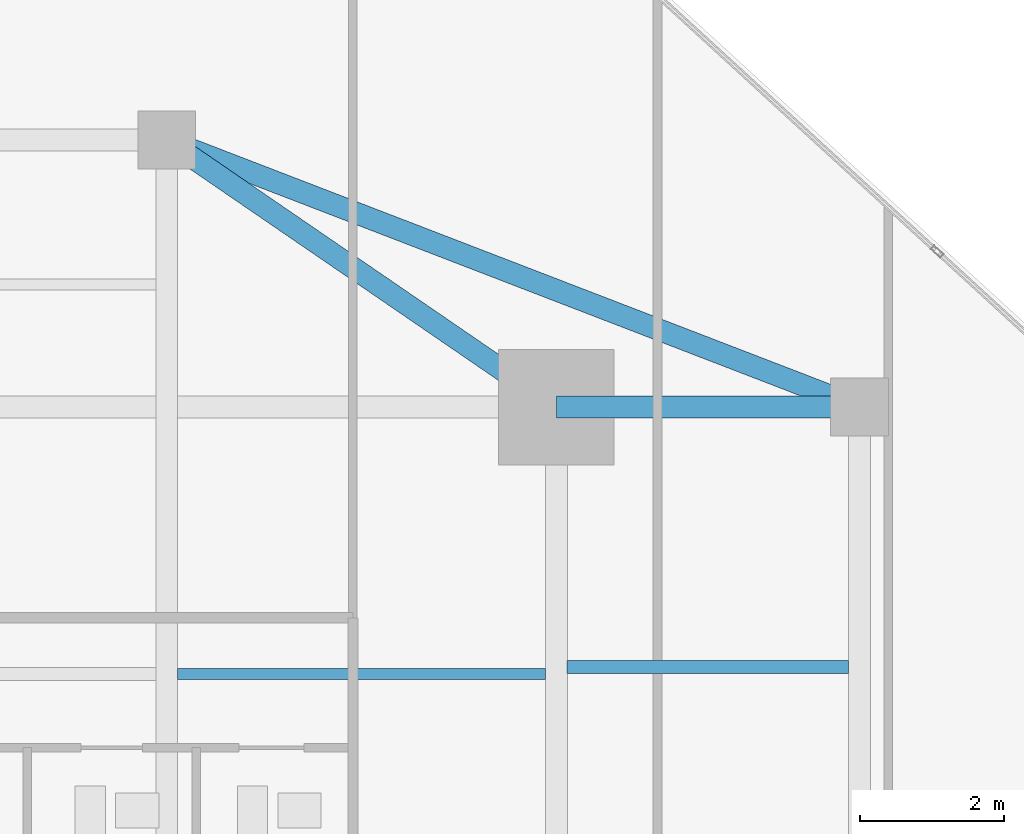
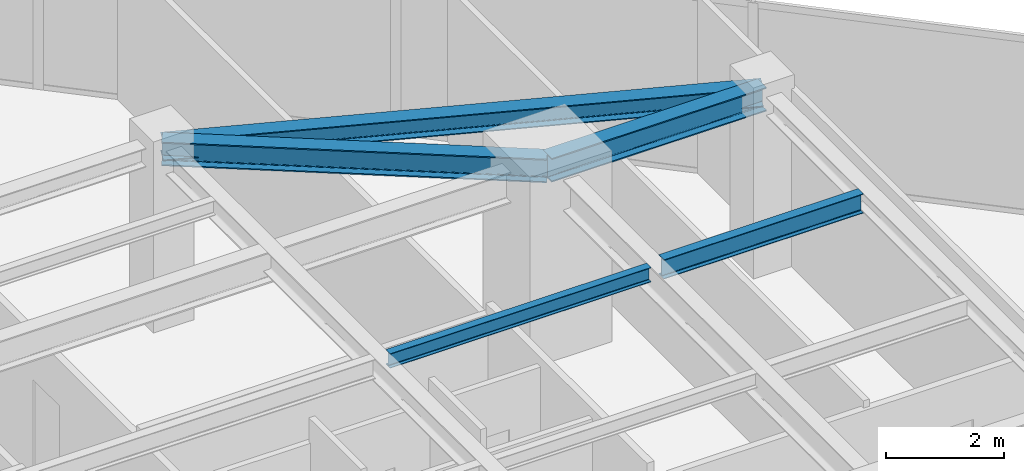
# One storey, part 18 of 26: 5 beams.
"""IFC4 building model written with IfcOpenShell, lengths in metres."""

import ifcopenshell
import ifcopenshell.guid

model = None  # the IFC model being written
_history = None  # IfcOwnerHistory: only IFC2X3 demands one
_inside = {}  # id of a spatial element -> (the spatial element, [elements in it])
_under = {}  # id of a project, library or spatial element -> (it, [spatial elements below it])
_declared = {}  # id of a project -> (the project, [libraries it declares])
_typed = {}  # id of a type object -> (the type object, [elements of that type])
_made_of = {}  # id of a material, layer set ... -> (it, [elements and type objects made of it])


def new_model(schema):
    """Start an empty IFC model of exactly this schema.

    Asked for "IFC4X3", IfcOpenShell would pick the latest addendum, in which some entities
    have other attributes; the version numbers below select the first issue.
    IFC2X3 requires an IfcOwnerHistory on every rooted entity: one is made here for all.
    """
    global model, _history
    if schema == "IFC4X3":
        model = ifcopenshell.file(schema_version=(4, 3, 0, 0))
    else:
        model = ifcopenshell.file(schema=schema)
    _inside.clear()
    _under.clear()
    _declared.clear()
    _typed.clear()
    _made_of.clear()
    _history = None
    if model.schema == "IFC2X3":
        org = make("IfcOrganization", Name="unknown")
        user = make(
            "IfcPersonAndOrganization",
            ThePerson=make("IfcPerson", FamilyName="unknown"),
            TheOrganization=org,
        )
        app = make(
            "IfcApplication",
            ApplicationDeveloper=org,
            Version="unknown",
            ApplicationFullName="unknown",
            ApplicationIdentifier="unknown",
        )
        _history = make(
            "IfcOwnerHistory",
            OwningUser=user,
            OwningApplication=app,
            ChangeAction="ADDED",
            CreationDate=0,
        )
    return model


def make(cls, **values):
    """One entity of the class cls with the attributes given. An attribute that is None is left unset."""
    return model.create_entity(
        cls, **{name: value for name, value in values.items() if value is not None}
    )


def rooted(cls, **values):
    """An entity with a GlobalId (a new one), such as an element, a storey or a relation."""
    return make(cls, GlobalId=ifcopenshell.guid.new(), OwnerHistory=_history, **values)


def si_unit(unit_type, name, prefix=None):
    """IfcSIUnit, for example si_unit("LENGTHUNIT", "METRE", prefix="MILLI")."""
    return make("IfcSIUnit", UnitType=unit_type, Prefix=prefix, Name=name)


def assignment(units):
    """IfcUnitAssignment: the units of a project."""
    return None if units is None else make("IfcUnitAssignment", Units=units)


def point(xyz):
    """IfcCartesianPoint."""
    return None if xyz is None else make("IfcCartesianPoint", Coordinates=xyz)


def direction(xyz):
    """IfcDirection."""
    return None if xyz is None else make("IfcDirection", DirectionRatios=xyz)


def frame(location, z_axis=None, x_axis=None):
    """IfcAxis2Placement3D, a coordinate frame: its origin and axes. An axis left out is left unset."""
    return make(
        "IfcAxis2Placement3D",
        Location=point(location),
        Axis=direction(z_axis),
        RefDirection=direction(x_axis),
    )


def frame_2d(location, x_axis=None):
    """IfcAxis2Placement2D, a coordinate frame in the plane: its origin and x axis."""
    return make(
        "IfcAxis2Placement2D", Location=point(location), RefDirection=direction(x_axis)
    )


def origin():
    """The frame at (0, 0, 0) with its axes left unset."""
    return frame((0.0, 0.0, 0.0))


def origin_2d():
    """The frame at (0, 0) in the plane with its x axis left unset."""
    return frame_2d((0.0, 0.0))


def place(relative_to, where):
    """IfcLocalPlacement: puts the frame where relative to a parent placement (None: the world)."""
    return make(
        "IfcLocalPlacement", PlacementRelTo=relative_to, RelativePlacement=where
    )


def context(
    kind, dimensions, precision=None, world=None, true_north=None, identifier=None
):
    """IfcGeometricRepresentationContext, for example the 3D "Model" context."""
    return make(
        "IfcGeometricRepresentationContext",
        ContextIdentifier=identifier,
        ContextType=kind,
        CoordinateSpaceDimension=dimensions,
        Precision=precision,
        WorldCoordinateSystem=world,
        TrueNorth=true_north,
    )


def subcontext(parent, identifier, kind, view, scale=None):
    """IfcGeometricRepresentationSubContext, for example "Body" below "Model"."""
    return make(
        "IfcGeometricRepresentationSubContext",
        ContextIdentifier=identifier,
        ContextType=kind,
        ParentContext=parent,
        TargetScale=scale,
        TargetView=view,
    )


def project(units=None, contexts=None):
    """IfcProject with its units and contexts."""
    return rooted(
        "IfcProject",
        Name="project",
        RepresentationContexts=contexts,
        UnitsInContext=assignment(units),
    )


def spatial(cls, under=None, at=None, **own):
    """A site, building, storey or space (cls), placed at a placement, below another one or the project."""
    s = rooted(cls, ObjectPlacement=at, **own)
    if under is not None:
        _under.setdefault(under.id(), (under, []))[1].append(s)
    return s


def profile(cls, at=None, kind="AREA", **sizes):
    """A parametric profile (cls). Its sizes go by their IFC names, for example OverallWidth=200.0."""
    return make(cls, ProfileType=kind, Position=at, **sizes)


def i_section(**sizes):
    """IfcIShapeProfileDef."""
    return profile("IfcIShapeProfileDef", **sizes)


def extrude(swept, where, along, depth):
    """IfcExtrudedAreaSolid: the profile swept, set in the frame where, extruded along a direction by depth."""
    return make(
        "IfcExtrudedAreaSolid",
        SweptArea=swept,
        Position=where,
        ExtrudedDirection=direction(along),
        Depth=depth,
    )


def shape(context_of_items, identifier, shape_type, items):
    """IfcShapeRepresentation: the items that make up one representation, for example the "Body"."""
    return make(
        "IfcShapeRepresentation",
        ContextOfItems=context_of_items,
        RepresentationIdentifier=identifier,
        RepresentationType=shape_type,
        Items=items,
    )


def source(mapping_origin, context_of_items, identifier, shape_type, items):
    """IfcRepresentationMap: a shape defined once, which mapped items show again and again."""
    return make(
        "IfcRepresentationMap",
        MappingOrigin=mapping_origin,
        MappedRepresentation=shape(context_of_items, identifier, shape_type, items),
    )


def transform(
    local_origin,
    x_axis=None,
    y_axis=None,
    z_axis=None,
    scale=None,
    scale2=None,
    scale3=None,
    uniform=True,
):
    """IfcCartesianTransformationOperator3D, or its non-uniform kind. x_axis, y_axis, z_axis: its Axis1, 2, 3."""
    if uniform:
        return make(
            "IfcCartesianTransformationOperator3D",
            Axis1=direction(x_axis),
            Axis2=direction(y_axis),
            LocalOrigin=point(local_origin),
            Scale=scale,
            Axis3=direction(z_axis),
        )
    return make(
        "IfcCartesianTransformationOperator3DnonUniform",
        Axis1=direction(x_axis),
        Axis2=direction(y_axis),
        LocalOrigin=point(local_origin),
        Scale=scale,
        Axis3=direction(z_axis),
        Scale2=scale2,
        Scale3=scale3,
    )


def mapped(mapping_source, mapping_target):
    """IfcMappedItem: shows the shape of a source again, moved by a transform."""
    return make(
        "IfcMappedItem", MappingSource=mapping_source, MappingTarget=mapping_target
    )


def material(Name=None, Category=None):
    """IfcMaterial."""
    return make("IfcMaterial", Name=Name, Category=Category)


def material_profile(
    of_material, cross_section, Name=None, Category=None, Priority=None
):
    """IfcMaterialProfile: a cross section and its material."""
    return make(
        "IfcMaterialProfile",
        Name=Name,
        Material=of_material,
        Profile=cross_section,
        Priority=Priority,
        Category=Category,
    )


def profile_set(profiles, Name=None, composite=None):
    """IfcMaterialProfileSet."""
    return make(
        "IfcMaterialProfileSet",
        Name=Name,
        MaterialProfiles=profiles,
        CompositeProfile=composite,
    )


def made_of(thing, what):
    """Note that an element or type object is made of a material, layer set ...; save() writes the relation."""
    if what is not None:
        _made_of.setdefault(what.id(), (what, []))[1].append(thing)
    return thing


def type_object(cls, material=None, **own):
    """A type object (cls), such as IfcWallType, which elements share."""
    return made_of(rooted(cls, **own), material)


def type_shapes(of_type, sources):
    """Give a type object the sources (RepresentationMaps) that its elements show as mapped items."""
    of_type.RepresentationMaps = sources


def element(
    cls,
    number,
    at=None,
    inside=None,
    cuts=None,
    type_object=None,
    material=None,
    context=None,
    identifier="Body",
    shape_type=None,
    held_by="IfcProductDefinitionShape",
    body=None,
    shapes=None,
    **own,
):
    """One element of the class cls, such as IfcWall. Its Tag is "e" and its number.

    at: its placement. inside: the storey or other place that contains it. cuts: it is an
    opening in that element (IfcRelVoidsElement). A single representation is given by context,
    identifier, shape_type and body (its items); several are given by shapes. held_by: the class
    of the entity that holds the representations. save() writes the other relations.
    """
    e = rooted(cls, Tag="e%d" % number, ObjectPlacement=at, **own)
    if body is not None:
        shapes = [shape(context, identifier, shape_type, body)]
    if shapes is not None:
        e.Representation = make(held_by, Representations=shapes)
    if inside is not None:
        _inside.setdefault(inside.id(), (inside, []))[1].append(e)
    if cuts is not None:
        rooted(
            "IfcRelVoidsElement", RelatingBuildingElement=cuts, RelatedOpeningElement=e
        )
    if type_object is not None:
        _typed.setdefault(type_object.id(), (type_object, []))[1].append(e)
    return made_of(e, material)


def aggregate(whole, parts):
    """IfcRelAggregates: a whole, such as a stair, and the parts it consists of."""
    return rooted("IfcRelAggregates", RelatingObject=whole, RelatedObjects=parts)


def save(model, path):
    """Write the relations noted so far, then the file.

    IfcRelAggregates (storeys below a building ...), IfcRelContainedInSpatialStructure (elements
    in a storey), IfcRelDefinesByType, IfcRelAssociatesMaterial and IfcRelDeclares: one each for
    every whole, place, type object, material and project.
    """
    for whole, parts in _under.values():
        aggregate(whole, parts)
    for where, things in _inside.values():
        rooted(
            "IfcRelContainedInSpatialStructure",
            RelatedElements=things,
            RelatingStructure=where,
        )
    for kind, things in _typed.values():
        rooted("IfcRelDefinesByType", RelatedObjects=things, RelatingType=kind)
    for what, things in _made_of.values():
        rooted("IfcRelAssociatesMaterial", RelatedObjects=things, RelatingMaterial=what)
    for by, libraries in _declared.values():
        rooted("IfcRelDeclares", RelatingContext=by, RelatedDefinitions=libraries)
    model.write(path)


model = new_model("IFC4")

# Units and contexts
model_context = context("Model", 3, precision=1e-05, world=origin(), true_north=direction((0.0, 1.0)))
body_context = subcontext(model_context, "Body", "Model", "MODEL_VIEW")
ifc_project = project(units=[si_unit("LENGTHUNIT", "METRE"), si_unit("AREAUNIT", "SQUARE_METRE"), si_unit("VOLUMEUNIT", "CUBIC_METRE"), si_unit("PLANEANGLEUNIT", "RADIAN"), si_unit("MASSUNIT", "GRAM", prefix="KILO")], contexts=[model_context])

# Site, building, storey
site_placement = place(None, origin())
site = spatial("IfcSite", under=ifc_project, at=site_placement, CompositionType="ELEMENT")
building_placement = place(site_placement, origin())
building = spatial("IfcBuilding", under=site, at=building_placement, Name="Krantzveldt Concourse Tower", CompositionType="ELEMENT")
storey_placement = place(building_placement, frame((0.0, 0.0, 227.050048828125)))
storey = spatial("IfcBuildingStorey", under=building, at=storey_placement, Name="L55", CompositionType="ELEMENT", Elevation=227.050048828125)

# Beams
ifc_material = material(Name="Steel S355JR", Category="steel")
ifc_material_profile_1 = material_profile(ifc_material, i_section(OverallWidth=0.300048828125, OverallDepth=0.389892578125, WebThickness=0.010986328125, FlangeThickness=0.01904296875, FilletRadius=0.027099609375, at=origin_2d()), Name="Steel S355JR", Category="steel")
ifc_profile_set_1 = profile_set([ifc_material_profile_1], Name="Steel S355JR - HEA 400")
beam_type_1 = type_object("IfcBeamType", Name="BM-SP-HEA400", PredefinedType="SPANDREL", material=ifc_profile_set_1)
shared_shape_1 = source(origin(), body_context, "Body", "SweptSolid", [
    extrude(i_section(OverallWidth=0.300048828125, OverallDepth=0.389892578125, WebThickness=0.010986328125, FlangeThickness=0.01904296875, FilletRadius=0.027099609375, at=origin_2d()), origin(), (0.0, 0.0, 1.0), 10.288330078125),
])
type_shapes(beam_type_1, [shared_shape_1])
beam_1_placement = place(storey_placement, frame((41.39990234375, 41.199951171875, 3.474853515625), z_axis=(0.933097690408, -0.359622997257, 0.0), x_axis=(0.359622997257, 0.933097690408, 0.0)))
element("IfcBeam", 1, at=beam_1_placement, inside=storey, type_object=beam_type_1, Name="L55 Tower Girder SP-R05", PredefinedType="SPANDREL", context=body_context, shape_type="MappedRepresentation", body=[
    mapped(shared_shape_1, transform((0.0, 0.0, 0.0), x_axis=(1.0, 0.0, 0.0), y_axis=(0.0, 1.0, 0.0), z_axis=(0.0, 0.0, 1.0), scale=1.0)),
])
ifc_material_profile_2 = material_profile(ifc_material, i_section(OverallWidth=0.300048828125, OverallDepth=0.489990234375, WebThickness=0.011962890625, FlangeThickness=0.02294921875, FilletRadius=0.027099609375, at=origin_2d()), Name="Steel S355JR", Category="steel")
ifc_profile_set_2 = profile_set([ifc_material_profile_2], Name="Steel S355JR - HEA 500")
beam_type_2 = type_object("IfcBeamType", Name="BM-B-HEA500", PredefinedType="BEAM", material=ifc_profile_set_2)
shared_shape_2 = source(origin(), body_context, "Body", "SweptSolid", [
    extrude(i_section(OverallWidth=0.300048828125, OverallDepth=0.489990234375, WebThickness=0.011962890625, FlangeThickness=0.02294921875, FilletRadius=0.027099609375, at=origin_2d()), origin(), (0.0, 0.0, 1.0), 4.199951171875),
])
beam_2_placement = place(storey_placement, frame((46.800048828125, 37.5, 3.425048828125), z_axis=(1.0, 0.0, 0.0), x_axis=(0.0, 1.0, 0.0)))
element("IfcBeam", 2, at=beam_2_placement, inside=storey, type_object=beam_type_2, Name="L55 Tower Girder BR-RR3", PredefinedType="BEAM", context=body_context, shape_type="MappedRepresentation", body=[
    mapped(shared_shape_2, transform((0.0, 0.0, 0.0), x_axis=(1.0, 0.0, 0.0), y_axis=(0.0, 1.0, 0.0), z_axis=(0.0, 0.0, 1.0), scale=1.0)),
])
shared_shape_3 = source(origin(), body_context, "Body", "SweptSolid", [
    extrude(i_section(OverallWidth=0.300048828125, OverallDepth=0.489990234375, WebThickness=0.011962890625, FlangeThickness=0.02294921875, FilletRadius=0.027099609375, at=origin_2d()), origin(), (0.0, 0.0, 1.0), 6.546142578125),
])
type_shapes(beam_type_2, [shared_shape_2, shared_shape_3])
beam_3_placement = place(storey_placement, frame((46.800048828125, 37.5, 3.425048828125), z_axis=(-0.824942999484, 0.565215930068, 0.0), x_axis=(-0.565215930068, -0.824942999484, 0.0)))
element("IfcBeam", 3, at=beam_3_placement, inside=storey, type_object=beam_type_2, Name="L55 Tower Girder BR-RR4", PredefinedType="BEAM", context=body_context, shape_type="MappedRepresentation", body=[
    mapped(shared_shape_3, transform((0.0, 0.0, 0.0), x_axis=(1.0, 0.0, 0.0), y_axis=(0.0, 1.0, 0.0), z_axis=(0.0, 0.0, 1.0), scale=1.0)),
])
ifc_material_profile_3 = material_profile(ifc_material, i_section(OverallWidth=0.14990234375, OverallDepth=0.300048828125, WebThickness=0.007080078125, FlangeThickness=0.0107421875, FilletRadius=0.014892578125, at=origin_2d()), Name="Steel S355JR", Category="steel")
ifc_profile_set_3 = profile_set([ifc_material_profile_3], Name="Steel S355JR - IPE 300")
beam_type_3 = type_object("IfcBeamType", Name="BM-J-IPE300", PredefinedType="JOIST", material=ifc_profile_set_3)
shared_shape_4 = source(origin(), body_context, "Body", "SweptSolid", [
    extrude(i_section(OverallWidth=0.14990234375, OverallDepth=0.300048828125, WebThickness=0.007080078125, FlangeThickness=0.0107421875, FilletRadius=0.014892578125, at=origin_2d()), origin(), (0.0, 0.0, 1.0), 5.099853515625),
])
type_shapes(beam_type_3, [shared_shape_4])
beam_4_placement = place(storey_placement, frame((41.550048828125, 33.800048828125, 3.52001953125), z_axis=(1.0, 0.0, 0.0), x_axis=(0.0, 1.0, 0.0)))
element("IfcBeam", 4, at=beam_4_placement, inside=storey, type_object=beam_type_3, Name="L55 Secondary Floor Joist JN-E2", PredefinedType="JOIST", context=body_context, shape_type="MappedRepresentation", body=[
    mapped(shared_shape_4, transform((0.0, 0.0, 0.0), x_axis=(1.0, 0.0, 0.0), y_axis=(0.0, 1.0, 0.0), z_axis=(0.0, 0.0, 1.0), scale=1.0)),
])
ifc_material_profile_4 = material_profile(ifc_material, i_section(OverallWidth=0.179931640625, OverallDepth=0.39990234375, WebThickness=0.008544921875, FlangeThickness=0.013427734375, FilletRadius=0.02099609375, at=origin_2d()), Name="Steel S355JR", Category="steel")
ifc_profile_set_4 = profile_set([ifc_material_profile_4], Name="Steel S355JR - IPE 400")
beam_type_4 = type_object("IfcBeamType", Name="BM-J-IPE400", PredefinedType="JOIST", material=ifc_profile_set_4)
shared_shape_5 = source(origin(), body_context, "Body", "SweptSolid", [
    extrude(i_section(OverallWidth=0.179931640625, OverallDepth=0.39990234375, WebThickness=0.008544921875, FlangeThickness=0.013427734375, FilletRadius=0.02099609375, at=origin_2d()), origin(), (0.0, 0.0, 1.0), 3.900146484375),
])
type_shapes(beam_type_4, [shared_shape_5])
beam_5_placement = place(storey_placement, frame((46.949951171875, 33.89990234375, 3.469970703125), z_axis=(1.0, 0.0, 0.0), x_axis=(0.0, 1.0, 0.0)))
element("IfcBeam", 5, at=beam_5_placement, inside=storey, type_object=beam_type_4, Name="L55 Secondary Floor Joist JE-4", PredefinedType="JOIST", context=body_context, shape_type="MappedRepresentation", body=[
    mapped(shared_shape_5, transform((0.0, 0.0, 0.0), x_axis=(1.0, 0.0, 0.0), y_axis=(0.0, 1.0, 0.0), z_axis=(0.0, 0.0, 1.0), scale=1.0)),
])

save(model, "model.ifc")
